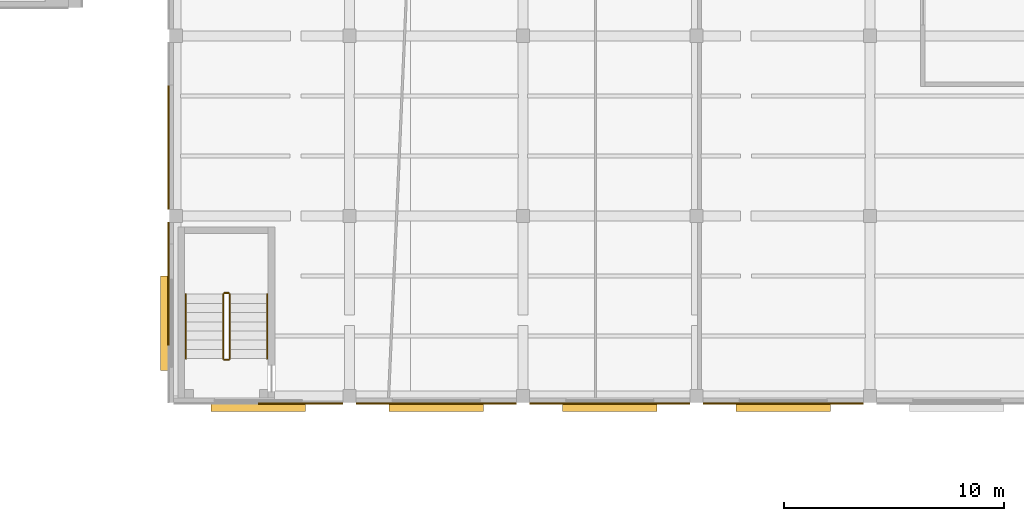
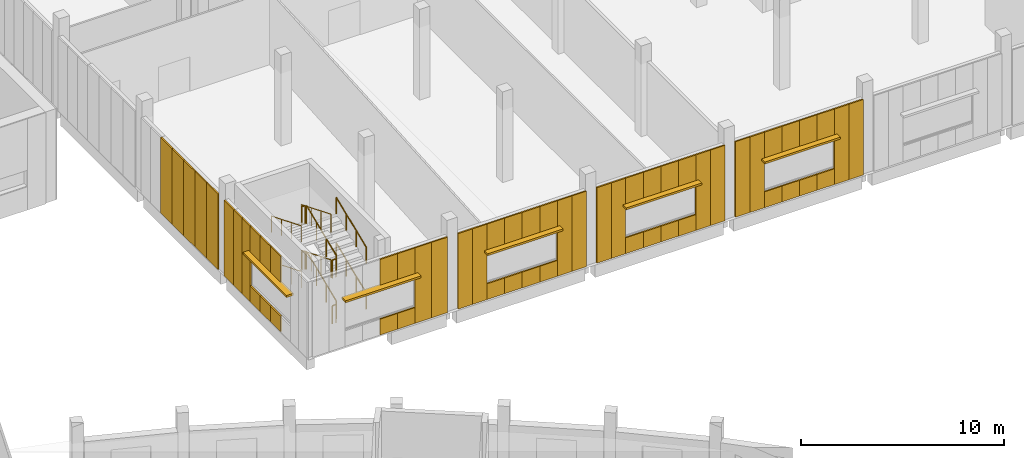
# One storey, part 82 of 87: 56 coverings, 12 railings, 5 shading devices.
"""IFC4 building model written with IfcOpenShell, lengths in metres."""

import ifcopenshell
import ifcopenshell.guid

model = None  # the IFC model being written
_history = None  # IfcOwnerHistory: only IFC2X3 demands one
_inside = {}  # id of a spatial element -> (the spatial element, [elements in it])
_under = {}  # id of a project, library or spatial element -> (it, [spatial elements below it])
_declared = {}  # id of a project -> (the project, [libraries it declares])
_typed = {}  # id of a type object -> (the type object, [elements of that type])
_made_of = {}  # id of a material, layer set ... -> (it, [elements and type objects made of it])


def new_model(schema):
    """Start an empty IFC model of exactly this schema.

    Asked for "IFC4X3", IfcOpenShell would pick the latest addendum, in which some entities
    have other attributes; the version numbers below select the first issue.
    IFC2X3 requires an IfcOwnerHistory on every rooted entity: one is made here for all.
    """
    global model, _history
    if schema == "IFC4X3":
        model = ifcopenshell.file(schema_version=(4, 3, 0, 0))
    else:
        model = ifcopenshell.file(schema=schema)
    _inside.clear()
    _under.clear()
    _declared.clear()
    _typed.clear()
    _made_of.clear()
    _history = None
    if model.schema == "IFC2X3":
        org = make("IfcOrganization", Name="unknown")
        user = make(
            "IfcPersonAndOrganization",
            ThePerson=make("IfcPerson", FamilyName="unknown"),
            TheOrganization=org,
        )
        app = make(
            "IfcApplication",
            ApplicationDeveloper=org,
            Version="unknown",
            ApplicationFullName="unknown",
            ApplicationIdentifier="unknown",
        )
        _history = make(
            "IfcOwnerHistory",
            OwningUser=user,
            OwningApplication=app,
            ChangeAction="ADDED",
            CreationDate=0,
        )
    return model


def make(cls, **values):
    """One entity of the class cls with the attributes given. An attribute that is None is left unset."""
    return model.create_entity(
        cls, **{name: value for name, value in values.items() if value is not None}
    )


def rooted(cls, **values):
    """An entity with a GlobalId (a new one), such as an element, a storey or a relation."""
    return make(cls, GlobalId=ifcopenshell.guid.new(), OwnerHistory=_history, **values)


def si_unit(unit_type, name, prefix=None):
    """IfcSIUnit, for example si_unit("LENGTHUNIT", "METRE", prefix="MILLI")."""
    return make("IfcSIUnit", UnitType=unit_type, Prefix=prefix, Name=name)


def assignment(units):
    """IfcUnitAssignment: the units of a project."""
    return None if units is None else make("IfcUnitAssignment", Units=units)


def point(xyz):
    """IfcCartesianPoint."""
    return None if xyz is None else make("IfcCartesianPoint", Coordinates=xyz)


def direction(xyz):
    """IfcDirection."""
    return None if xyz is None else make("IfcDirection", DirectionRatios=xyz)


def frame(location, z_axis=None, x_axis=None):
    """IfcAxis2Placement3D, a coordinate frame: its origin and axes. An axis left out is left unset."""
    return make(
        "IfcAxis2Placement3D",
        Location=point(location),
        Axis=direction(z_axis),
        RefDirection=direction(x_axis),
    )


def frame_2d(location, x_axis=None):
    """IfcAxis2Placement2D, a coordinate frame in the plane: its origin and x axis."""
    return make(
        "IfcAxis2Placement2D", Location=point(location), RefDirection=direction(x_axis)
    )


def origin():
    """The frame at (0, 0, 0) with its axes left unset."""
    return frame((0.0, 0.0, 0.0))


def origin_2d():
    """The frame at (0, 0) in the plane with its x axis left unset."""
    return frame_2d((0.0, 0.0))


def place(relative_to, where):
    """IfcLocalPlacement: puts the frame where relative to a parent placement (None: the world)."""
    return make(
        "IfcLocalPlacement", PlacementRelTo=relative_to, RelativePlacement=where
    )


def context(
    kind, dimensions, precision=None, world=None, true_north=None, identifier=None
):
    """IfcGeometricRepresentationContext, for example the 3D "Model" context."""
    return make(
        "IfcGeometricRepresentationContext",
        ContextIdentifier=identifier,
        ContextType=kind,
        CoordinateSpaceDimension=dimensions,
        Precision=precision,
        WorldCoordinateSystem=world,
        TrueNorth=true_north,
    )


def subcontext(parent, identifier, kind, view, scale=None):
    """IfcGeometricRepresentationSubContext, for example "Body" below "Model"."""
    return make(
        "IfcGeometricRepresentationSubContext",
        ContextIdentifier=identifier,
        ContextType=kind,
        ParentContext=parent,
        TargetScale=scale,
        TargetView=view,
    )


def project(units=None, contexts=None):
    """IfcProject with its units and contexts."""
    return rooted(
        "IfcProject",
        Name="project",
        RepresentationContexts=contexts,
        UnitsInContext=assignment(units),
    )


def spatial(cls, under=None, at=None, **own):
    """A site, building, storey or space (cls), placed at a placement, below another one or the project."""
    s = rooted(cls, ObjectPlacement=at, **own)
    if under is not None:
        _under.setdefault(under.id(), (under, []))[1].append(s)
    return s


def profile(cls, at=None, kind="AREA", **sizes):
    """A parametric profile (cls). Its sizes go by their IFC names, for example OverallWidth=200.0."""
    return make(cls, ProfileType=kind, Position=at, **sizes)


def rectangle(**sizes):
    """IfcRectangleProfileDef."""
    return profile("IfcRectangleProfileDef", **sizes)


def circle(**sizes):
    """IfcCircleProfileDef."""
    return profile("IfcCircleProfileDef", **sizes)


def extrude(swept, where, along, depth):
    """IfcExtrudedAreaSolid: the profile swept, set in the frame where, extruded along a direction by depth."""
    return make(
        "IfcExtrudedAreaSolid",
        SweptArea=swept,
        Position=where,
        ExtrudedDirection=direction(along),
        Depth=depth,
    )


def shape(context_of_items, identifier, shape_type, items):
    """IfcShapeRepresentation: the items that make up one representation, for example the "Body"."""
    return make(
        "IfcShapeRepresentation",
        ContextOfItems=context_of_items,
        RepresentationIdentifier=identifier,
        RepresentationType=shape_type,
        Items=items,
    )


def material(Name=None, Category=None):
    """IfcMaterial."""
    return make("IfcMaterial", Name=Name, Category=Category)


def layer(
    of_material, thickness, ventilated=None, Name=None, Category=None, Priority=None
):
    """IfcMaterialLayer: one layer of a wall or slab, of a material (None: an air gap)."""
    return make(
        "IfcMaterialLayer",
        Material=of_material,
        LayerThickness=thickness,
        IsVentilated=ventilated,
        Name=Name,
        Category=Category,
        Priority=Priority,
    )


def layer_set(layers, Name=None):
    """IfcMaterialLayerSet."""
    return make("IfcMaterialLayerSet", MaterialLayers=layers, LayerSetName=Name)


def made_of(thing, what):
    """Note that an element or type object is made of a material, layer set ...; save() writes the relation."""
    if what is not None:
        _made_of.setdefault(what.id(), (what, []))[1].append(thing)
    return thing


def type_object(cls, material=None, **own):
    """A type object (cls), such as IfcWallType, which elements share."""
    return made_of(rooted(cls, **own), material)


def element(
    cls,
    number,
    at=None,
    inside=None,
    cuts=None,
    type_object=None,
    material=None,
    context=None,
    identifier="Body",
    shape_type=None,
    held_by="IfcProductDefinitionShape",
    body=None,
    shapes=None,
    **own,
):
    """One element of the class cls, such as IfcWall. Its Tag is "e" and its number.

    at: its placement. inside: the storey or other place that contains it. cuts: it is an
    opening in that element (IfcRelVoidsElement). A single representation is given by context,
    identifier, shape_type and body (its items); several are given by shapes. held_by: the class
    of the entity that holds the representations. save() writes the other relations.
    """
    e = rooted(cls, Tag="e%d" % number, ObjectPlacement=at, **own)
    if body is not None:
        shapes = [shape(context, identifier, shape_type, body)]
    if shapes is not None:
        e.Representation = make(held_by, Representations=shapes)
    if inside is not None:
        _inside.setdefault(inside.id(), (inside, []))[1].append(e)
    if cuts is not None:
        rooted(
            "IfcRelVoidsElement", RelatingBuildingElement=cuts, RelatedOpeningElement=e
        )
    if type_object is not None:
        _typed.setdefault(type_object.id(), (type_object, []))[1].append(e)
    return made_of(e, material)


def aggregate(whole, parts):
    """IfcRelAggregates: a whole, such as a stair, and the parts it consists of."""
    return rooted("IfcRelAggregates", RelatingObject=whole, RelatedObjects=parts)


def save(model, path):
    """Write the relations noted so far, then the file.

    IfcRelAggregates (storeys below a building ...), IfcRelContainedInSpatialStructure (elements
    in a storey), IfcRelDefinesByType, IfcRelAssociatesMaterial and IfcRelDeclares: one each for
    every whole, place, type object, material and project.
    """
    for whole, parts in _under.values():
        aggregate(whole, parts)
    for where, things in _inside.values():
        rooted(
            "IfcRelContainedInSpatialStructure",
            RelatedElements=things,
            RelatingStructure=where,
        )
    for kind, things in _typed.values():
        rooted("IfcRelDefinesByType", RelatedObjects=things, RelatingType=kind)
    for what, things in _made_of.values():
        rooted("IfcRelAssociatesMaterial", RelatedObjects=things, RelatingMaterial=what)
    for by, libraries in _declared.values():
        rooted("IfcRelDeclares", RelatingContext=by, RelatedDefinitions=libraries)
    model.write(path)


model = new_model("IFC4")

# Units and contexts
model_context = context("Model", 3, precision=1e-05, world=origin(), true_north=direction((0.0, 1.0)))
body_context = subcontext(model_context, "Body", "Model", "MODEL_VIEW")
ifc_project = project(units=[si_unit("LENGTHUNIT", "METRE"), si_unit("AREAUNIT", "SQUARE_METRE"), si_unit("VOLUMEUNIT", "CUBIC_METRE"), si_unit("PLANEANGLEUNIT", "RADIAN"), si_unit("MASSUNIT", "GRAM", prefix="KILO")], contexts=[model_context])

# Site, building, storey
site_placement = place(None, origin())
site = spatial("IfcSite", under=ifc_project, at=site_placement, CompositionType="ELEMENT")
building_placement = place(site_placement, origin())
building = spatial("IfcBuilding", under=site, at=building_placement, Name="Lunette Opera House", CompositionType="ELEMENT")
storey_placement = place(building_placement, frame((0.0, 0.0, 11.5)))
storey = spatial("IfcBuildingStorey", under=building, at=storey_placement, Name="L02", CompositionType="ELEMENT", Elevation=11.5)

# Coverings
ifc_material_1 = material(Name="Dark grey aluminium cassette", Category="aluminium")
ifc_layer_1 = layer(ifc_material_1, 0.080078125)
ifc_layer_set_1 = layer_set([ifc_layer_1], Name="Dark grey aluminium cassette")
covering_type = type_object("IfcCoveringType", Name="DARK METAL CASSETTE 80", PredefinedType="CLADDING", material=ifc_layer_set_1)
for number, where, z_axis, x_axis, name in (
    (1, (135.9599609375, 91.885009765625, 0.0), (0.0, 0.0, 1.0), (0.0, -1.0, 0.0), "Dark Metal Cassette 80 WK L02"),
    (2, (135.9599609375, 90.7548828125, 0.0), (0.0, 0.0, 1.0), (0.0, -1.0, 0.0), "Dark Metal Cassette 80 WK L02"),
    (3, (135.9599609375, 89.625, 0.0), (0.0, 0.0, 1.0), (0.0, -1.0, 0.0), "Dark Metal Cassette 80 WK L02"),
    (4, (135.9599609375, 88.4951171875, 0.0), (0.0, 0.0, 1.0), (0.0, -1.0, 0.0), "Dark Metal Cassette 80 WK L02"),
    (5, (135.9599609375, 87.364990234375, 0.0), (0.0, 0.0, 1.0), (0.0, -1.0, 0.0), "Dark Metal Cassette 80 WK L02"),
):
    element("IfcCovering", number, at=place(storey_placement, frame(where, z_axis=z_axis, x_axis=x_axis)), inside=storey, type_object=covering_type, Name=name, PredefinedType="CLADDING", context=body_context, shape_type="SweptSolid", body=[
        extrude(rectangle(XDim=1.1298828125, YDim=0.080078125, at=origin_2d()), origin(), (0.0, 0.0, 1.0), 4.550048828125),
    ])
covering_1_placement = place(storey_placement, frame((135.9599609375, 85.712890625, 0.0), z_axis=(0.0, 0.0, 1.0), x_axis=(0.0, -1.0, 0.0)))
element("IfcCovering", 6, at=covering_1_placement, inside=storey, type_object=covering_type, Name="Dark Metal Cassette 80 WK L02", PredefinedType="CLADDING", context=body_context, shape_type="SweptSolid", body=[
    extrude(rectangle(XDim=0.97509765625, YDim=0.080078125, at=origin_2d()), origin(), (0.0, 0.0, 1.0), 4.550048828125),
])
for number, where, z_axis, x_axis, name in (
    (7, (135.9599609375, 84.822021484375, 0.0), (0.0, 0.0, 1.0), (0.0, -1.0, 0.0), "Dark Metal Cassette 80 WK L02"),
    (8, (135.9599609375, 84.01611328125, 0.0), (0.0, 0.0, 1.0), (0.0, -1.0, 0.0), "Dark Metal Cassette 80 WK L02"),
):
    element("IfcCovering", number, at=place(storey_placement, frame(where, z_axis=z_axis, x_axis=x_axis)), inside=storey, type_object=covering_type, Name=name, PredefinedType="CLADDING", context=body_context, shape_type="SweptSolid", body=[
        extrude(rectangle(XDim=0.805908203125, YDim=0.080078125, at=origin_2d()), origin(), (0.0, 0.0, 1.0), 4.550048828125),
    ])
covering_2_placement = place(storey_placement, frame((135.9599609375, 83.113037109375, 0.0), z_axis=(0.0, 0.0, 1.0), x_axis=(0.0, -1.0, 0.0)))
element("IfcCovering", 9, at=covering_2_placement, inside=storey, type_object=covering_type, Name="Dark Metal Cassette 80 WK L02", PredefinedType="CLADDING", context=body_context, shape_type="SweptSolid", body=[
    extrude(rectangle(XDim=1.0, YDim=0.080078125, at=origin_2d()), origin(), (0.0, 0.0, 1.0), 0.949951171875),
])
covering_3_placement = place(storey_placement, frame((135.9599609375, 83.113037109375, 3.0), z_axis=(0.0, 0.0, 1.0), x_axis=(0.0, -1.0, 0.0)))
element("IfcCovering", 10, at=covering_3_placement, inside=storey, type_object=covering_type, Name="Dark Metal Cassette 80 WK L02", PredefinedType="CLADDING", context=body_context, shape_type="SweptSolid", body=[
    extrude(rectangle(XDim=1.0, YDim=0.080078125, at=origin_2d()), origin(), (0.0, 0.0, 1.0), 1.550048828125),
])
covering_4_placement = place(storey_placement, frame((135.9599609375, 82.113037109375, 0.0), z_axis=(0.0, 0.0, 1.0), x_axis=(0.0, -1.0, 0.0)))
element("IfcCovering", 11, at=covering_4_placement, inside=storey, type_object=covering_type, Name="Dark Metal Cassette 80 WK L02", PredefinedType="CLADDING", context=body_context, shape_type="SweptSolid", body=[
    extrude(rectangle(XDim=1.0, YDim=0.080078125, at=origin_2d()), origin(), (0.0, 0.0, 1.0), 0.949951171875),
])
covering_5_placement = place(storey_placement, frame((135.9599609375, 82.113037109375, 3.0), z_axis=(0.0, 0.0, 1.0), x_axis=(0.0, -1.0, 0.0)))
element("IfcCovering", 12, at=covering_5_placement, inside=storey, type_object=covering_type, Name="Dark Metal Cassette 80 WK L02", PredefinedType="CLADDING", context=body_context, shape_type="SweptSolid", body=[
    extrude(rectangle(XDim=1.0, YDim=0.080078125, at=origin_2d()), origin(), (0.0, 0.0, 1.0), 1.550048828125),
])
covering_6_placement = place(storey_placement, frame((135.9599609375, 81.113037109375, 0.0), z_axis=(0.0, 0.0, 1.0), x_axis=(0.0, -1.0, 0.0)))
element("IfcCovering", 13, at=covering_6_placement, inside=storey, type_object=covering_type, Name="Dark Metal Cassette 80 WK L02", PredefinedType="CLADDING", context=body_context, shape_type="SweptSolid", body=[
    extrude(rectangle(XDim=1.0, YDim=0.080078125, at=origin_2d()), origin(), (0.0, 0.0, 1.0), 0.949951171875),
])
covering_7_placement = place(storey_placement, frame((135.9599609375, 81.113037109375, 3.0), z_axis=(0.0, 0.0, 1.0), x_axis=(0.0, -1.0, 0.0)))
element("IfcCovering", 14, at=covering_7_placement, inside=storey, type_object=covering_type, Name="Dark Metal Cassette 80 WK L02", PredefinedType="CLADDING", context=body_context, shape_type="SweptSolid", body=[
    extrude(rectangle(XDim=1.0, YDim=0.080078125, at=origin_2d()), origin(), (0.0, 0.0, 1.0), 1.550048828125),
])
covering_8_placement = place(storey_placement, frame((140.550048828125, 77.9599609375, 0.0), z_axis=(0.0, 0.0, 1.0), x_axis=(1.0, 0.0, 0.0)))
element("IfcCovering", 15, at=covering_8_placement, inside=storey, type_object=covering_type, Name="Dark Metal Cassette 80 WK L02", PredefinedType="CLADDING", context=body_context, shape_type="SweptSolid", body=[
    extrude(rectangle(XDim=1.0, YDim=0.080078125, at=origin_2d()), origin(), (0.0, 0.0, 1.0), 0.949951171875),
])
covering_9_placement = place(storey_placement, frame((140.550048828125, 77.9599609375, 3.0), z_axis=(0.0, 0.0, 1.0), x_axis=(1.0, 0.0, 0.0)))
element("IfcCovering", 16, at=covering_9_placement, inside=storey, type_object=covering_type, Name="Dark Metal Cassette 80 WK L02", PredefinedType="CLADDING", context=body_context, shape_type="SweptSolid", body=[
    extrude(rectangle(XDim=1.0, YDim=0.080078125, at=origin_2d()), origin(), (0.0, 0.0, 1.0), 1.550048828125),
])
covering_10_placement = place(storey_placement, frame((141.550048828125, 77.9599609375, 0.0), z_axis=(0.0, 0.0, 1.0), x_axis=(1.0, 0.0, 0.0)))
element("IfcCovering", 17, at=covering_10_placement, inside=storey, type_object=covering_type, Name="Dark Metal Cassette 80 WK L02", PredefinedType="CLADDING", context=body_context, shape_type="SweptSolid", body=[
    extrude(rectangle(XDim=1.0, YDim=0.080078125, at=origin_2d()), origin(), (0.0, 0.0, 1.0), 0.949951171875),
])
covering_11_placement = place(storey_placement, frame((141.550048828125, 77.9599609375, 3.0), z_axis=(0.0, 0.0, 1.0), x_axis=(1.0, 0.0, 0.0)))
element("IfcCovering", 18, at=covering_11_placement, inside=storey, type_object=covering_type, Name="Dark Metal Cassette 80 WK L02", PredefinedType="CLADDING", context=body_context, shape_type="SweptSolid", body=[
    extrude(rectangle(XDim=1.0, YDim=0.080078125, at=origin_2d()), origin(), (0.0, 0.0, 1.0), 1.550048828125),
])
for number, where, z_axis, x_axis, name in (
    (19, (142.511962890625, 77.9599609375, 0.0), (0.0, 0.0, 1.0), (1.0, 0.0, 0.0), "Dark Metal Cassette 80 WK L02"),
    (20, (143.43798828125, 77.9599609375, 0.0), (0.0, 0.0, 1.0), (1.0, 0.0, 0.0), "Dark Metal Cassette 80 WK L02"),
):
    element("IfcCovering", number, at=place(storey_placement, frame(where, z_axis=z_axis, x_axis=x_axis)), inside=storey, type_object=covering_type, Name=name, PredefinedType="CLADDING", context=body_context, shape_type="SweptSolid", body=[
        extrude(rectangle(XDim=0.925048828125, YDim=0.080078125, at=origin_2d()), origin(), (0.0, 0.0, 1.0), 4.550048828125),
    ])
for number, where, z_axis, x_axis, name in (
    (21, (144.912109375, 77.9599609375, 0.0), (0.0, 0.0, 1.0), (1.0, 0.0, 0.0), "Dark Metal Cassette 80 WK L02"),
    (22, (145.738037109375, 77.9599609375, 0.0), (0.0, 0.0, 1.0), (1.0, 0.0, 0.0), "Dark Metal Cassette 80 WK L02"),
):
    element("IfcCovering", number, at=place(storey_placement, frame(where, z_axis=z_axis, x_axis=x_axis)), inside=storey, type_object=covering_type, Name=name, PredefinedType="CLADDING", context=body_context, shape_type="SweptSolid", body=[
        extrude(rectangle(XDim=0.824951171875, YDim=0.080078125, at=origin_2d()), origin(), (0.0, 0.0, 1.0), 4.550048828125),
    ])
covering_12_placement = place(storey_placement, frame((146.64990234375, 77.9599609375, 0.0), z_axis=(0.0, 0.0, 1.0), x_axis=(1.0, 0.0, 0.0)))
element("IfcCovering", 23, at=covering_12_placement, inside=storey, type_object=covering_type, Name="Dark Metal Cassette 80 WK L02", PredefinedType="CLADDING", context=body_context, shape_type="SweptSolid", body=[
    extrude(rectangle(XDim=1.0, YDim=0.080078125, at=origin_2d()), origin(), (0.0, 0.0, 1.0), 0.949951171875),
])
covering_13_placement = place(storey_placement, frame((146.64990234375, 77.9599609375, 3.0), z_axis=(0.0, 0.0, 1.0), x_axis=(1.0, 0.0, 0.0)))
element("IfcCovering", 24, at=covering_13_placement, inside=storey, type_object=covering_type, Name="Dark Metal Cassette 80 WK L02", PredefinedType="CLADDING", context=body_context, shape_type="SweptSolid", body=[
    extrude(rectangle(XDim=1.0, YDim=0.080078125, at=origin_2d()), origin(), (0.0, 0.0, 1.0), 1.550048828125),
])
covering_14_placement = place(storey_placement, frame((147.64990234375, 77.9599609375, 0.0), z_axis=(0.0, 0.0, 1.0), x_axis=(1.0, 0.0, 0.0)))
element("IfcCovering", 25, at=covering_14_placement, inside=storey, type_object=covering_type, Name="Dark Metal Cassette 80 WK L02", PredefinedType="CLADDING", context=body_context, shape_type="SweptSolid", body=[
    extrude(rectangle(XDim=1.0, YDim=0.080078125, at=origin_2d()), origin(), (0.0, 0.0, 1.0), 0.949951171875),
])
covering_15_placement = place(storey_placement, frame((147.64990234375, 77.9599609375, 3.0), z_axis=(0.0, 0.0, 1.0), x_axis=(1.0, 0.0, 0.0)))
element("IfcCovering", 26, at=covering_15_placement, inside=storey, type_object=covering_type, Name="Dark Metal Cassette 80 WK L02", PredefinedType="CLADDING", context=body_context, shape_type="SweptSolid", body=[
    extrude(rectangle(XDim=1.0, YDim=0.080078125, at=origin_2d()), origin(), (0.0, 0.0, 1.0), 1.550048828125),
])
covering_16_placement = place(storey_placement, frame((148.64990234375, 77.9599609375, 0.0), z_axis=(0.0, 0.0, 1.0), x_axis=(1.0, 0.0, 0.0)))
element("IfcCovering", 27, at=covering_16_placement, inside=storey, type_object=covering_type, Name="Dark Metal Cassette 80 WK L02", PredefinedType="CLADDING", context=body_context, shape_type="SweptSolid", body=[
    extrude(rectangle(XDim=1.0, YDim=0.080078125, at=origin_2d()), origin(), (0.0, 0.0, 1.0), 0.949951171875),
])
covering_17_placement = place(storey_placement, frame((148.64990234375, 77.9599609375, 3.0), z_axis=(0.0, 0.0, 1.0), x_axis=(1.0, 0.0, 0.0)))
element("IfcCovering", 28, at=covering_17_placement, inside=storey, type_object=covering_type, Name="Dark Metal Cassette 80 WK L02", PredefinedType="CLADDING", context=body_context, shape_type="SweptSolid", body=[
    extrude(rectangle(XDim=1.0, YDim=0.080078125, at=origin_2d()), origin(), (0.0, 0.0, 1.0), 1.550048828125),
])
covering_18_placement = place(storey_placement, frame((149.64990234375, 77.9599609375, 0.0), z_axis=(0.0, 0.0, 1.0), x_axis=(1.0, 0.0, 0.0)))
element("IfcCovering", 29, at=covering_18_placement, inside=storey, type_object=covering_type, Name="Dark Metal Cassette 80 WK L02", PredefinedType="CLADDING", context=body_context, shape_type="SweptSolid", body=[
    extrude(rectangle(XDim=1.0, YDim=0.080078125, at=origin_2d()), origin(), (0.0, 0.0, 1.0), 0.949951171875),
])
covering_19_placement = place(storey_placement, frame((149.64990234375, 77.9599609375, 3.0), z_axis=(0.0, 0.0, 1.0), x_axis=(1.0, 0.0, 0.0)))
element("IfcCovering", 30, at=covering_19_placement, inside=storey, type_object=covering_type, Name="Dark Metal Cassette 80 WK L02", PredefinedType="CLADDING", context=body_context, shape_type="SweptSolid", body=[
    extrude(rectangle(XDim=1.0, YDim=0.080078125, at=origin_2d()), origin(), (0.0, 0.0, 1.0), 1.550048828125),
])
for number, where, z_axis, x_axis, name in (
    (31, (150.56201171875, 77.9599609375, 0.0), (0.0, 0.0, 1.0), (1.0, 0.0, 0.0), "Dark Metal Cassette 80 WK L02"),
    (32, (151.387939453125, 77.9599609375, 0.0), (0.0, 0.0, 1.0), (1.0, 0.0, 0.0), "Dark Metal Cassette 80 WK L02"),
    (33, (152.81201171875, 77.9599609375, 0.0), (0.0, 0.0, 1.0), (1.0, 0.0, 0.0), "Dark Metal Cassette 80 WK L02"),
    (34, (153.637939453125, 77.9599609375, 0.0), (0.0, 0.0, 1.0), (1.0, 0.0, 0.0), "Dark Metal Cassette 80 WK L02"),
):
    element("IfcCovering", number, at=place(storey_placement, frame(where, z_axis=z_axis, x_axis=x_axis)), inside=storey, type_object=covering_type, Name=name, PredefinedType="CLADDING", context=body_context, shape_type="SweptSolid", body=[
        extrude(rectangle(XDim=0.824951171875, YDim=0.080078125, at=origin_2d()), origin(), (0.0, 0.0, 1.0), 4.550048828125),
    ])
covering_20_placement = place(storey_placement, frame((154.550048828125, 77.9599609375, 0.0), z_axis=(0.0, 0.0, 1.0), x_axis=(1.0, 0.0, 0.0)))
element("IfcCovering", 35, at=covering_20_placement, inside=storey, type_object=covering_type, Name="Dark Metal Cassette 80 WK L02", PredefinedType="CLADDING", context=body_context, shape_type="SweptSolid", body=[
    extrude(rectangle(XDim=1.0, YDim=0.080078125, at=origin_2d()), origin(), (0.0, 0.0, 1.0), 0.949951171875),
])
covering_21_placement = place(storey_placement, frame((154.550048828125, 77.9599609375, 3.0), z_axis=(0.0, 0.0, 1.0), x_axis=(1.0, 0.0, 0.0)))
element("IfcCovering", 36, at=covering_21_placement, inside=storey, type_object=covering_type, Name="Dark Metal Cassette 80 WK L02", PredefinedType="CLADDING", context=body_context, shape_type="SweptSolid", body=[
    extrude(rectangle(XDim=1.0, YDim=0.080078125, at=origin_2d()), origin(), (0.0, 0.0, 1.0), 1.550048828125),
])
covering_22_placement = place(storey_placement, frame((155.550048828125, 77.9599609375, 0.0), z_axis=(0.0, 0.0, 1.0), x_axis=(1.0, 0.0, 0.0)))
element("IfcCovering", 37, at=covering_22_placement, inside=storey, type_object=covering_type, Name="Dark Metal Cassette 80 WK L02", PredefinedType="CLADDING", context=body_context, shape_type="SweptSolid", body=[
    extrude(rectangle(XDim=1.0, YDim=0.080078125, at=origin_2d()), origin(), (0.0, 0.0, 1.0), 0.949951171875),
])
covering_23_placement = place(storey_placement, frame((155.550048828125, 77.9599609375, 3.0), z_axis=(0.0, 0.0, 1.0), x_axis=(1.0, 0.0, 0.0)))
element("IfcCovering", 38, at=covering_23_placement, inside=storey, type_object=covering_type, Name="Dark Metal Cassette 80 WK L02", PredefinedType="CLADDING", context=body_context, shape_type="SweptSolid", body=[
    extrude(rectangle(XDim=1.0, YDim=0.080078125, at=origin_2d()), origin(), (0.0, 0.0, 1.0), 1.550048828125),
])
covering_24_placement = place(storey_placement, frame((156.550048828125, 77.9599609375, 0.0), z_axis=(0.0, 0.0, 1.0), x_axis=(1.0, 0.0, 0.0)))
element("IfcCovering", 39, at=covering_24_placement, inside=storey, type_object=covering_type, Name="Dark Metal Cassette 80 WK L02", PredefinedType="CLADDING", context=body_context, shape_type="SweptSolid", body=[
    extrude(rectangle(XDim=1.0, YDim=0.080078125, at=origin_2d()), origin(), (0.0, 0.0, 1.0), 0.949951171875),
])
covering_25_placement = place(storey_placement, frame((156.550048828125, 77.9599609375, 3.0), z_axis=(0.0, 0.0, 1.0), x_axis=(1.0, 0.0, 0.0)))
element("IfcCovering", 40, at=covering_25_placement, inside=storey, type_object=covering_type, Name="Dark Metal Cassette 80 WK L02", PredefinedType="CLADDING", context=body_context, shape_type="SweptSolid", body=[
    extrude(rectangle(XDim=1.0, YDim=0.080078125, at=origin_2d()), origin(), (0.0, 0.0, 1.0), 1.550048828125),
])
covering_26_placement = place(storey_placement, frame((157.550048828125, 77.9599609375, 0.0), z_axis=(0.0, 0.0, 1.0), x_axis=(1.0, 0.0, 0.0)))
element("IfcCovering", 41, at=covering_26_placement, inside=storey, type_object=covering_type, Name="Dark Metal Cassette 80 WK L02", PredefinedType="CLADDING", context=body_context, shape_type="SweptSolid", body=[
    extrude(rectangle(XDim=1.0, YDim=0.080078125, at=origin_2d()), origin(), (0.0, 0.0, 1.0), 0.949951171875),
])
covering_27_placement = place(storey_placement, frame((157.550048828125, 77.9599609375, 3.0), z_axis=(0.0, 0.0, 1.0), x_axis=(1.0, 0.0, 0.0)))
element("IfcCovering", 42, at=covering_27_placement, inside=storey, type_object=covering_type, Name="Dark Metal Cassette 80 WK L02", PredefinedType="CLADDING", context=body_context, shape_type="SweptSolid", body=[
    extrude(rectangle(XDim=1.0, YDim=0.080078125, at=origin_2d()), origin(), (0.0, 0.0, 1.0), 1.550048828125),
])
for number, where, z_axis, x_axis, name in (
    (43, (158.462890625, 77.9599609375, 0.0), (0.0, 0.0, 1.0), (1.0, 0.0, 0.0), "Dark Metal Cassette 80 WK L02"),
    (44, (159.287109375, 77.9599609375, 0.0), (0.0, 0.0, 1.0), (1.0, 0.0, 0.0), "Dark Metal Cassette 80 WK L02"),
    (45, (160.712890625, 77.9599609375, 0.0), (0.0, 0.0, 1.0), (1.0, 0.0, 0.0), "Dark Metal Cassette 80 WK L02"),
    (46, (161.5380859375, 77.9599609375, 0.0), (0.0, 0.0, 1.0), (1.0, 0.0, 0.0), "Dark Metal Cassette 80 WK L02"),
):
    element("IfcCovering", number, at=place(storey_placement, frame(where, z_axis=z_axis, x_axis=x_axis)), inside=storey, type_object=covering_type, Name=name, PredefinedType="CLADDING", context=body_context, shape_type="SweptSolid", body=[
        extrude(rectangle(XDim=0.824951171875, YDim=0.080078125, at=origin_2d()), origin(), (0.0, 0.0, 1.0), 4.550048828125),
    ])
covering_28_placement = place(storey_placement, frame((162.449951171875, 77.9599609375, 0.0), z_axis=(0.0, 0.0, 1.0), x_axis=(1.0, 0.0, 0.0)))
element("IfcCovering", 47, at=covering_28_placement, inside=storey, type_object=covering_type, Name="Dark Metal Cassette 80 WK L02", PredefinedType="CLADDING", context=body_context, shape_type="SweptSolid", body=[
    extrude(rectangle(XDim=1.0, YDim=0.080078125, at=origin_2d()), origin(), (0.0, 0.0, 1.0), 0.949951171875),
])
covering_29_placement = place(storey_placement, frame((162.449951171875, 77.9599609375, 3.0), z_axis=(0.0, 0.0, 1.0), x_axis=(1.0, 0.0, 0.0)))
element("IfcCovering", 48, at=covering_29_placement, inside=storey, type_object=covering_type, Name="Dark Metal Cassette 80 WK L02", PredefinedType="CLADDING", context=body_context, shape_type="SweptSolid", body=[
    extrude(rectangle(XDim=1.0, YDim=0.080078125, at=origin_2d()), origin(), (0.0, 0.0, 1.0), 1.550048828125),
])
covering_30_placement = place(storey_placement, frame((163.449951171875, 77.9599609375, 0.0), z_axis=(0.0, 0.0, 1.0), x_axis=(1.0, 0.0, 0.0)))
element("IfcCovering", 49, at=covering_30_placement, inside=storey, type_object=covering_type, Name="Dark Metal Cassette 80 WK L02", PredefinedType="CLADDING", context=body_context, shape_type="SweptSolid", body=[
    extrude(rectangle(XDim=1.0, YDim=0.080078125, at=origin_2d()), origin(), (0.0, 0.0, 1.0), 0.949951171875),
])
covering_31_placement = place(storey_placement, frame((163.449951171875, 77.9599609375, 3.0), z_axis=(0.0, 0.0, 1.0), x_axis=(1.0, 0.0, 0.0)))
element("IfcCovering", 50, at=covering_31_placement, inside=storey, type_object=covering_type, Name="Dark Metal Cassette 80 WK L02", PredefinedType="CLADDING", context=body_context, shape_type="SweptSolid", body=[
    extrude(rectangle(XDim=1.0, YDim=0.080078125, at=origin_2d()), origin(), (0.0, 0.0, 1.0), 1.550048828125),
])
covering_32_placement = place(storey_placement, frame((164.449951171875, 77.9599609375, 0.0), z_axis=(0.0, 0.0, 1.0), x_axis=(1.0, 0.0, 0.0)))
element("IfcCovering", 51, at=covering_32_placement, inside=storey, type_object=covering_type, Name="Dark Metal Cassette 80 WK L02", PredefinedType="CLADDING", context=body_context, shape_type="SweptSolid", body=[
    extrude(rectangle(XDim=1.0, YDim=0.080078125, at=origin_2d()), origin(), (0.0, 0.0, 1.0), 0.949951171875),
])
covering_33_placement = place(storey_placement, frame((164.449951171875, 77.9599609375, 3.0), z_axis=(0.0, 0.0, 1.0), x_axis=(1.0, 0.0, 0.0)))
element("IfcCovering", 52, at=covering_33_placement, inside=storey, type_object=covering_type, Name="Dark Metal Cassette 80 WK L02", PredefinedType="CLADDING", context=body_context, shape_type="SweptSolid", body=[
    extrude(rectangle(XDim=1.0, YDim=0.080078125, at=origin_2d()), origin(), (0.0, 0.0, 1.0), 1.550048828125),
])
covering_34_placement = place(storey_placement, frame((165.449951171875, 77.9599609375, 0.0), z_axis=(0.0, 0.0, 1.0), x_axis=(1.0, 0.0, 0.0)))
element("IfcCovering", 53, at=covering_34_placement, inside=storey, type_object=covering_type, Name="Dark Metal Cassette 80 WK L02", PredefinedType="CLADDING", context=body_context, shape_type="SweptSolid", body=[
    extrude(rectangle(XDim=1.0, YDim=0.080078125, at=origin_2d()), origin(), (0.0, 0.0, 1.0), 0.949951171875),
])
covering_35_placement = place(storey_placement, frame((165.449951171875, 77.9599609375, 3.0), z_axis=(0.0, 0.0, 1.0), x_axis=(1.0, 0.0, 0.0)))
element("IfcCovering", 54, at=covering_35_placement, inside=storey, type_object=covering_type, Name="Dark Metal Cassette 80 WK L02", PredefinedType="CLADDING", context=body_context, shape_type="SweptSolid", body=[
    extrude(rectangle(XDim=1.0, YDim=0.080078125, at=origin_2d()), origin(), (0.0, 0.0, 1.0), 1.550048828125),
])
for number, where, z_axis, x_axis, name in (
    (55, (166.363037109375, 77.9599609375, 0.0), (0.0, 0.0, 1.0), (1.0, 0.0, 0.0), "Dark Metal Cassette 80 WK L02"),
    (56, (167.18798828125, 77.9599609375, 0.0), (0.0, 0.0, 1.0), (1.0, 0.0, 0.0), "Dark Metal Cassette 80 WK L02"),
):
    element("IfcCovering", number, at=place(storey_placement, frame(where, z_axis=z_axis, x_axis=x_axis)), inside=storey, type_object=covering_type, Name=name, PredefinedType="CLADDING", context=body_context, shape_type="SweptSolid", body=[
        extrude(rectangle(XDim=0.824951171875, YDim=0.080078125, at=origin_2d()), origin(), (0.0, 0.0, 1.0), 4.550048828125),
    ])

# Railings
ifc_material_2 = material(Name="Steel S355", Category="steel")
railing_type_1 = type_object("IfcRailingType", Name="STAIR GUARD 1100", PredefinedType="GUARDRAIL", material=ifc_material_2)
railing_1_placement = place(storey_placement, frame((138.75, 80.0, 0.171875)))
element("IfcRailing", 57, at=railing_1_placement, inside=storey, type_object=railing_type_1, Name="L02 ST18 stair guard 1", PredefinedType="GUARDRAIL", context=body_context, shape_type="SweptSolid", body=[
    extrude(circle(Radius=0.02392578125, at=origin_2d()), frame((0.0, 0.0, 1.076171875), z_axis=(0.0, 0.925500427511, 0.378746562595), x_axis=(-1.0, 0.0, 0.0)), (0.0, 0.0, 1.0), 3.176513671875),
    extrude(circle(Radius=0.02099609375, at=origin_2d()), origin(), (0.0, 0.0, 1.0), 1.052001953125),
    extrude(circle(Radius=0.02099609375, at=origin_2d()), frame((0.0, 0.97998046875, 0.401123046875)), (0.0, 0.0, 1.0), 1.052001953125),
    extrude(circle(Radius=0.02099609375, at=origin_2d()), frame((0.0, 1.9599609375, 0.802001953125)), (0.0, 0.0, 1.0), 1.052001953125),
    extrude(circle(Radius=0.02099609375, at=origin_2d()), frame((0.0, 2.93994140625, 1.203125)), (0.0, 0.0, 1.0), 1.052001953125),
])
railing_2_placement = place(storey_placement, frame((138.699951171875, 82.989990234375, 1.375)))
element("IfcRailing", 58, at=railing_2_placement, inside=storey, type_object=railing_type_1, Name="L02 ST18 stair guard 2", PredefinedType="GUARDRAIL", context=body_context, shape_type="SweptSolid", body=[
    extrude(circle(Radius=0.02392578125, at=origin_2d()), frame((0.0, 0.0, 1.076171875), z_axis=(-1.0, 0.0, 0.0), x_axis=(0.0, -1.0, 0.0)), (0.0, 0.0, 1.0), 0.199951171875),
    extrude(circle(Radius=0.02099609375, at=origin_2d()), origin(), (0.0, 0.0, 1.0), 1.052001953125),
    extrude(circle(Radius=0.02099609375, at=origin_2d()), frame((-0.199951171875, 0.0, 0.0)), (0.0, 0.0, 1.0), 1.052001953125),
])
railing_3_placement = place(storey_placement, frame((138.449951171875, 82.93994140625, 1.546875)))
element("IfcRailing", 59, at=railing_3_placement, inside=storey, type_object=railing_type_1, Name="L02 ST18 stair guard 3", PredefinedType="GUARDRAIL", context=body_context, shape_type="SweptSolid", body=[
    extrude(circle(Radius=0.02392578125, at=origin_2d()), frame((0.0, 0.0, 1.076171875), z_axis=(0.0, -0.925500427511, 0.378746562595), x_axis=(1.0, 0.0, 0.0)), (0.0, 0.0, 1.0), 3.176513671875),
    extrude(circle(Radius=0.02099609375, at=origin_2d()), origin(), (0.0, 0.0, 1.0), 1.052001953125),
    extrude(circle(Radius=0.02099609375, at=origin_2d()), frame((0.0, -0.97998046875, 0.401123046875)), (0.0, 0.0, 1.0), 1.052001953125),
    extrude(circle(Radius=0.02099609375, at=origin_2d()), frame((0.0, -1.9599609375, 0.802001953125)), (0.0, 0.0, 1.0), 1.052001953125),
    extrude(circle(Radius=0.02099609375, at=origin_2d()), frame((0.0, -2.93994140625, 1.203125)), (0.0, 0.0, 1.0), 1.052001953125),
])
railing_4_placement = place(storey_placement, frame((138.699951171875, 79.949951171875, 2.75)))
element("IfcRailing", 60, at=railing_4_placement, inside=storey, type_object=railing_type_1, Name="L02 ST18 stair guard 4", PredefinedType="GUARDRAIL", context=body_context, shape_type="SweptSolid", body=[
    extrude(circle(Radius=0.02392578125, at=origin_2d()), frame((0.0, 0.0, 1.076171875), z_axis=(-1.0, 0.0, 0.0), x_axis=(0.0, -1.0, 0.0)), (0.0, 0.0, 1.0), 0.199951171875),
    extrude(circle(Radius=0.02099609375, at=origin_2d()), origin(), (0.0, 0.0, 1.0), 1.052001953125),
    extrude(circle(Radius=0.02099609375, at=origin_2d()), frame((-0.199951171875, 0.0, 0.0)), (0.0, 0.0, 1.0), 1.052001953125),
])
railing_5_placement = place(storey_placement, frame((138.75, 80.0, 2.921875)))
element("IfcRailing", 61, at=railing_5_placement, inside=storey, type_object=railing_type_1, Name="L02 ST18 stair guard 5", PredefinedType="GUARDRAIL", context=body_context, shape_type="SweptSolid", body=[
    extrude(circle(Radius=0.02392578125, at=origin_2d()), frame((0.0, 0.0, 1.076171875), z_axis=(0.0, 0.925500427511, 0.378746562595), x_axis=(-1.0, 0.0, 0.0)), (0.0, 0.0, 1.0), 3.176513671875),
    extrude(circle(Radius=0.02099609375, at=origin_2d()), origin(), (0.0, 0.0, 1.0), 1.052001953125),
    extrude(circle(Radius=0.02099609375, at=origin_2d()), frame((0.0, 0.97998046875, 0.401123046875)), (0.0, 0.0, 1.0), 1.052001953125),
    extrude(circle(Radius=0.02099609375, at=origin_2d()), frame((0.0, 1.9599609375, 0.802001953125)), (0.0, 0.0, 1.0), 1.052001953125),
    extrude(circle(Radius=0.02099609375, at=origin_2d()), frame((0.0, 2.93994140625, 1.203125)), (0.0, 0.0, 1.0), 1.052001953125),
])
railing_6_placement = place(storey_placement, frame((138.699951171875, 82.989990234375, 4.125)))
element("IfcRailing", 62, at=railing_6_placement, inside=storey, type_object=railing_type_1, Name="L02 ST18 stair guard 6", PredefinedType="GUARDRAIL", context=body_context, shape_type="SweptSolid", body=[
    extrude(circle(Radius=0.02392578125, at=origin_2d()), frame((0.0, 0.0, 1.076171875), z_axis=(-1.0, 0.0, 0.0), x_axis=(0.0, -1.0, 0.0)), (0.0, 0.0, 1.0), 0.199951171875),
    extrude(circle(Radius=0.02099609375, at=origin_2d()), origin(), (0.0, 0.0, 1.0), 1.052001953125),
    extrude(circle(Radius=0.02099609375, at=origin_2d()), frame((-0.199951171875, 0.0, 0.0)), (0.0, 0.0, 1.0), 1.052001953125),
])
railing_7_placement = place(storey_placement, frame((138.449951171875, 82.93994140625, 4.296875)))
element("IfcRailing", 63, at=railing_7_placement, inside=storey, type_object=railing_type_1, Name="L02 ST18 stair guard 7", PredefinedType="GUARDRAIL", context=body_context, shape_type="SweptSolid", body=[
    extrude(circle(Radius=0.02392578125, at=origin_2d()), frame((0.0, 0.0, 1.076171875), z_axis=(0.0, -0.925500427511, 0.378746562595), x_axis=(1.0, 0.0, 0.0)), (0.0, 0.0, 1.0), 3.176513671875),
    extrude(circle(Radius=0.02099609375, at=origin_2d()), origin(), (0.0, 0.0, 1.0), 1.052001953125),
    extrude(circle(Radius=0.02099609375, at=origin_2d()), frame((0.0, -0.97998046875, 0.401123046875)), (0.0, 0.0, 1.0), 1.052001953125),
    extrude(circle(Radius=0.02099609375, at=origin_2d()), frame((0.0, -1.9599609375, 0.802001953125)), (0.0, 0.0, 1.0), 1.052001953125),
    extrude(circle(Radius=0.02099609375, at=origin_2d()), frame((0.0, -2.93994140625, 1.203125)), (0.0, 0.0, 1.0), 1.052001953125),
])
railing_8_placement = place(storey_placement, frame((138.699951171875, 79.949951171875, 0.0)))
element("IfcRailing", 64, at=railing_8_placement, inside=storey, type_object=railing_type_1, Name="L02 ST18 stair guard 8", PredefinedType="GUARDRAIL", context=body_context, shape_type="SweptSolid", body=[
    extrude(circle(Radius=0.02392578125, at=origin_2d()), frame((0.0, 0.0, 1.076171875), z_axis=(-1.0, 0.0, 0.0), x_axis=(0.0, -1.0, 0.0)), (0.0, 0.0, 1.0), 0.199951171875),
    extrude(circle(Radius=0.02099609375, at=origin_2d()), origin(), (0.0, 0.0, 1.0), 1.052001953125),
    extrude(circle(Radius=0.02099609375, at=origin_2d()), frame((-0.199951171875, 0.0, 0.0)), (0.0, 0.0, 1.0), 1.052001953125),
])
ifc_material_3 = material(Name="Steel S355", Category="steel")
railing_type_2 = type_object("IfcRailingType", Name="STAIR HANDRAIL 1000", PredefinedType="HANDRAIL", material=ifc_material_3)
railing_9_placement = place(storey_placement, frame((140.449951171875, 80.0, 0.171875)))
element("IfcRailing", 65, at=railing_9_placement, inside=storey, type_object=railing_type_2, Name="L02 ST18 stair handrail 1", PredefinedType="HANDRAIL", context=body_context, shape_type="SweptSolid", body=[
    extrude(circle(Radius=0.02392578125, at=origin_2d()), frame((0.0, 0.0, 0.97607421875), z_axis=(0.0, 0.925500427511, 0.378746562595), x_axis=(-1.0, 0.0, 0.0)), (0.0, 0.0, 1.0), 3.176513671875),
    extrude(circle(Radius=0.02099609375, at=origin_2d()), origin(), (0.0, 0.0, 1.0), 0.951904296875),
    extrude(circle(Radius=0.02099609375, at=origin_2d()), frame((0.0, 0.97998046875, 0.401123046875)), (0.0, 0.0, 1.0), 0.951904296875),
    extrude(circle(Radius=0.02099609375, at=origin_2d()), frame((0.0, 1.9599609375, 0.802001953125)), (0.0, 0.0, 1.0), 0.951904296875),
    extrude(circle(Radius=0.02099609375, at=origin_2d()), frame((0.0, 2.93994140625, 1.203125)), (0.0, 0.0, 1.0), 0.951904296875),
])
railing_10_placement = place(storey_placement, frame((136.75, 82.93994140625, 1.546875)))
element("IfcRailing", 66, at=railing_10_placement, inside=storey, type_object=railing_type_2, Name="L02 ST18 stair handrail 2", PredefinedType="HANDRAIL", context=body_context, shape_type="SweptSolid", body=[
    extrude(circle(Radius=0.02392578125, at=origin_2d()), frame((0.0, 0.0, 0.97607421875), z_axis=(0.0, -0.925500427511, 0.378746562595), x_axis=(1.0, 0.0, 0.0)), (0.0, 0.0, 1.0), 3.176513671875),
    extrude(circle(Radius=0.02099609375, at=origin_2d()), origin(), (0.0, 0.0, 1.0), 0.951904296875),
    extrude(circle(Radius=0.02099609375, at=origin_2d()), frame((0.0, -0.97998046875, 0.401123046875)), (0.0, 0.0, 1.0), 0.951904296875),
    extrude(circle(Radius=0.02099609375, at=origin_2d()), frame((0.0, -1.9599609375, 0.802001953125)), (0.0, 0.0, 1.0), 0.951904296875),
    extrude(circle(Radius=0.02099609375, at=origin_2d()), frame((0.0, -2.93994140625, 1.203125)), (0.0, 0.0, 1.0), 0.951904296875),
])
railing_11_placement = place(storey_placement, frame((140.449951171875, 80.0, 2.921875)))
element("IfcRailing", 67, at=railing_11_placement, inside=storey, type_object=railing_type_2, Name="L02 ST18 stair handrail 3", PredefinedType="HANDRAIL", context=body_context, shape_type="SweptSolid", body=[
    extrude(circle(Radius=0.02392578125, at=origin_2d()), frame((0.0, 0.0, 0.97607421875), z_axis=(0.0, 0.925500427511, 0.378746562595), x_axis=(-1.0, 0.0, 0.0)), (0.0, 0.0, 1.0), 3.176513671875),
    extrude(circle(Radius=0.02099609375, at=origin_2d()), origin(), (0.0, 0.0, 1.0), 0.951904296875),
    extrude(circle(Radius=0.02099609375, at=origin_2d()), frame((0.0, 0.97998046875, 0.401123046875)), (0.0, 0.0, 1.0), 0.951904296875),
    extrude(circle(Radius=0.02099609375, at=origin_2d()), frame((0.0, 1.9599609375, 0.802001953125)), (0.0, 0.0, 1.0), 0.951904296875),
    extrude(circle(Radius=0.02099609375, at=origin_2d()), frame((0.0, 2.93994140625, 1.203125)), (0.0, 0.0, 1.0), 0.951904296875),
])
railing_12_placement = place(storey_placement, frame((136.75, 82.93994140625, 4.296875)))
element("IfcRailing", 68, at=railing_12_placement, inside=storey, type_object=railing_type_2, Name="L02 ST18 stair handrail 4", PredefinedType="HANDRAIL", context=body_context, shape_type="SweptSolid", body=[
    extrude(circle(Radius=0.02392578125, at=origin_2d()), frame((0.0, 0.0, 0.97607421875), z_axis=(0.0, -0.925500427511, 0.378746562595), x_axis=(1.0, 0.0, 0.0)), (0.0, 0.0, 1.0), 3.176513671875),
    extrude(circle(Radius=0.02099609375, at=origin_2d()), origin(), (0.0, 0.0, 1.0), 0.951904296875),
    extrude(circle(Radius=0.02099609375, at=origin_2d()), frame((0.0, -0.97998046875, 0.401123046875)), (0.0, 0.0, 1.0), 0.951904296875),
    extrude(circle(Radius=0.02099609375, at=origin_2d()), frame((0.0, -1.9599609375, 0.802001953125)), (0.0, 0.0, 1.0), 0.951904296875),
    extrude(circle(Radius=0.02099609375, at=origin_2d()), frame((0.0, -2.93994140625, 1.203125)), (0.0, 0.0, 1.0), 0.951904296875),
])

# Shading devices
ifc_material_4 = material(Name="Powder-coated aluminium", Category="aluminium")
ifc_layer_2 = layer(ifc_material_4, 0.1201171875)
ifc_layer_set_2 = layer_set([ifc_layer_2], Name="Powder-coated aluminium")
shading_device_type = type_object("IfcShadingDeviceType", Name="WINDOW HOOD 400 X 4300", PredefinedType="USERDEFINED", material=ifc_layer_set_2)
for number, where, z_axis, x_axis, name in (
    (69, (135.800048828125, 81.613037109375, 2.8798828125), (0.0, 0.0, 1.0), (-1.0, 0.0, 0.0), "Window hood WW-N2026"),
    (70, (140.050048828125, 77.800048828125, 2.8798828125), (0.0, 0.0, 1.0), (0.0, -1.0, 0.0), "Window hood WW-N2027"),
    (71, (148.14990234375, 77.800048828125, 2.8798828125), (0.0, 0.0, 1.0), (0.0, -1.0, 0.0), "Window hood WW-N2028"),
    (72, (156.050048828125, 77.800048828125, 2.8798828125), (0.0, 0.0, 1.0), (0.0, -1.0, 0.0), "Window hood WW-N2029"),
    (73, (163.949951171875, 77.800048828125, 2.8798828125), (0.0, 0.0, 1.0), (0.0, -1.0, 0.0), "Window hood WW-N2030"),
):
    element("IfcShadingDevice", number, at=place(storey_placement, frame(where, z_axis=z_axis, x_axis=x_axis)), inside=storey, type_object=shading_device_type, Name=name, ObjectType="WINDOW HOOD", PredefinedType="USERDEFINED", context=body_context, shape_type="SweptSolid", body=[
        extrude(rectangle(XDim=0.39990234375, YDim=4.300048828125, at=origin_2d()), origin(), (0.0, 0.0, 1.0), 0.1201171875),
    ])

save(model, "model.ifc")
